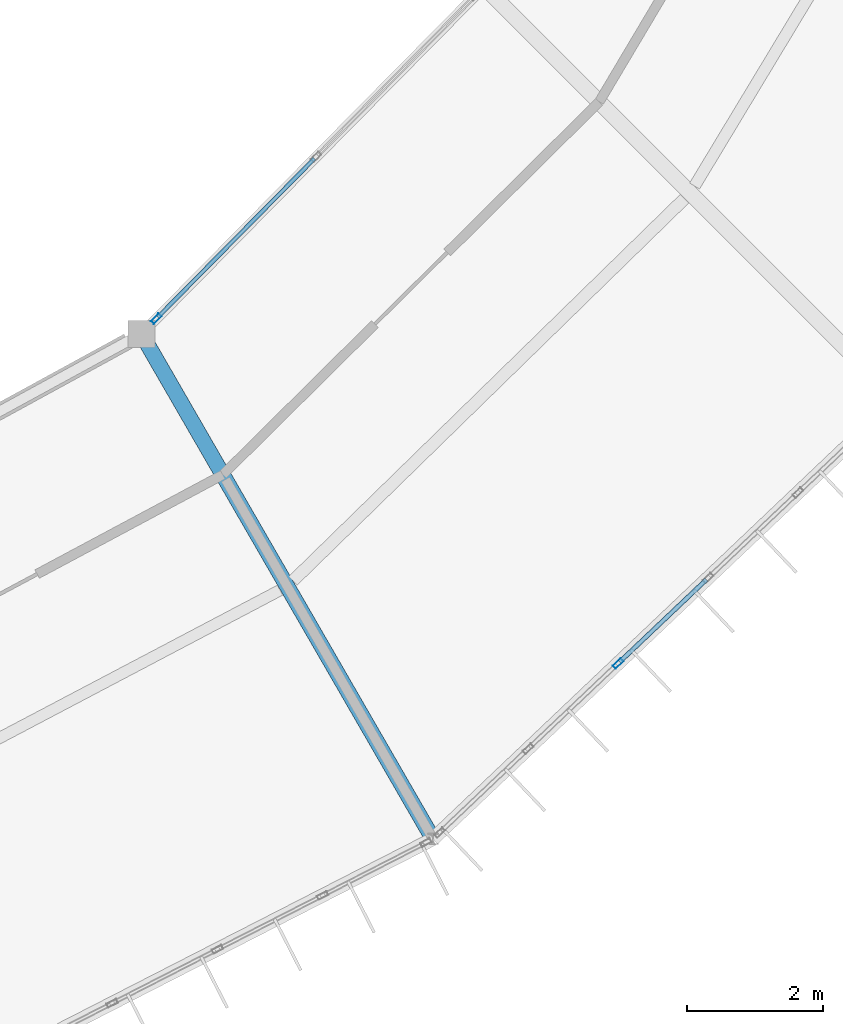
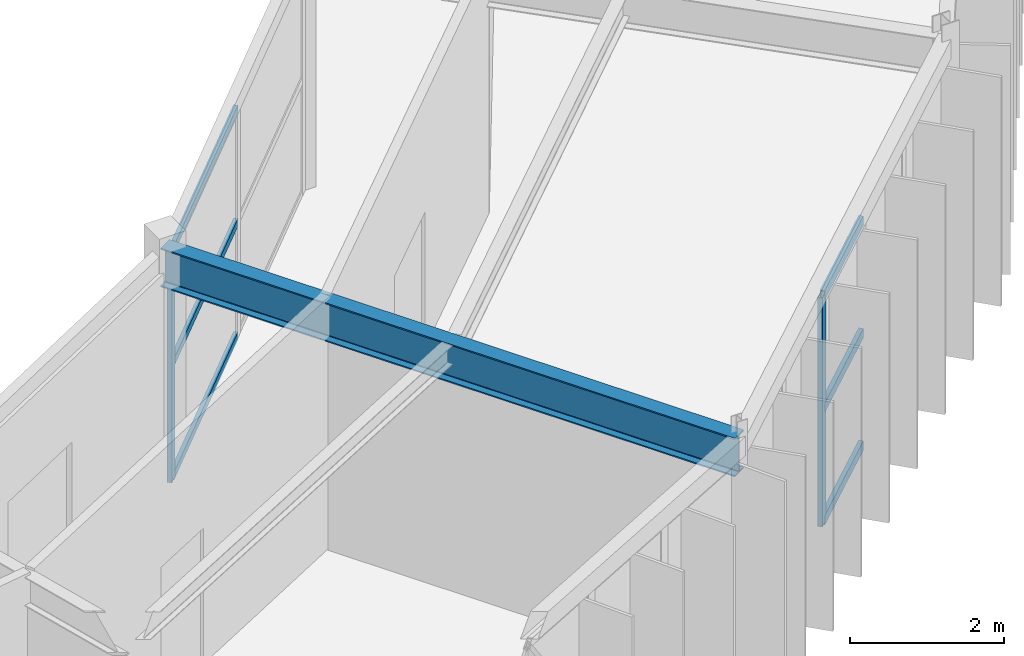
# One storey, part 58 of 157: 8 members, 1 beam, 2 elements without a shape of their own.
"""IFC4 building model written with IfcOpenShell, lengths in metres."""

from ifc_helpers import new_model, si_unit, direction, frame, origin, origin_2d, place, context, subcontext, project, spatial, hollow_rectangle, i_section, extrude, material, material_profile, profile_set, type_object, element, aggregate, save


model = new_model("IFC4")

# Units and contexts
model_context = context("Model", 3, precision=1e-05, world=origin(), true_north=direction((0.0, 1.0)))
body_context = subcontext(model_context, "Body", "Model", "MODEL_VIEW")
ifc_project = project(units=[si_unit("LENGTHUNIT", "METRE"), si_unit("AREAUNIT", "SQUARE_METRE"), si_unit("VOLUMEUNIT", "CUBIC_METRE"), si_unit("PLANEANGLEUNIT", "RADIAN"), si_unit("MASSUNIT", "GRAM", prefix="KILO")], contexts=[model_context])

# Site, building, storey
site_placement = place(None, origin())
site = spatial("IfcSite", under=ifc_project, at=site_placement, CompositionType="ELEMENT")
building_placement = place(site_placement, origin())
building = spatial("IfcBuilding", under=site, at=building_placement, Name="Karori Crest Natural Sciences Institute", CompositionType="ELEMENT")
storey_placement = place(building_placement, frame((0.0, 0.0, 13.300048828125)))
storey = spatial("IfcBuildingStorey", under=building, at=storey_placement, Name="L03", CompositionType="ELEMENT", Elevation=13.300048828125)

# Beam
ifc_material_1 = material(Name="Structural steel AS/NZS 3679.1 Grade 350", Category="steel")
ifc_material_profile_1 = material_profile(ifc_material_1, i_section(OverallWidth=0.22900390625, OverallDepth=0.612060546875, WebThickness=0.011962890625, FlangeThickness=0.01953125, FilletRadius=0.013916015625, at=origin_2d()), Name="610UB125")
ifc_profile_set_1 = profile_set([ifc_material_profile_1], Name="Structural steel AS/NZS 3679.1 Grade 350")
beam_type = type_object("IfcBeamType", Name="BT-04", PredefinedType="BEAM", material=ifc_profile_set_1)
beam_placement = place(storey_placement, frame((78.60009765625, 22.013916015625, 3.634033203125), z_axis=(0.499986217557, -0.866033360935, 0.0), x_axis=(0.866033360935, 0.499986217557, 0.0)))
element("IfcBeam", 1, at=beam_placement, inside=storey, type_object=beam_type, Name="Beam B-0438", PredefinedType="BEAM", context=body_context, shape_type="SweptSolid", body=[
    extrude(i_section(OverallWidth=0.22900390625, OverallDepth=0.612060546875, WebThickness=0.011962890625, FlangeThickness=0.01953125, FilletRadius=0.013916015625, at=origin_2d()), origin(), (0.0, 0.0, 1.0), 8.599853515625),
])

# Curtain wall, member
ifc_material_2 = material(Name="Anodised architectural aluminium 6063-T6", Category="aluminium")
curtain_wall_type_1 = type_object("IfcCurtainWallType", Name="CWT-01", PredefinedType="NOTDEFINED", material=ifc_material_2)
curtain_wall_1_placement = place(storey_placement, origin())
curtain_wall_1 = element("IfcCurtainWall", 2, at=curtain_wall_1_placement, inside=storey, type_object=curtain_wall_type_1, Name="Curtain wall CW-0130", PredefinedType="NOTDEFINED")
ifc_material_profile_2 = material_profile(ifc_material_2, hollow_rectangle(XDim=0.06494140625, YDim=0.159912109375, WallThickness=0.00390625, at=origin_2d()), Name="CWM160x65x4")
ifc_profile_set_2 = profile_set([ifc_material_profile_2], Name="Anodised architectural aluminium 6063-T6")
member_type_1 = type_object("IfcMemberType", Name="CWM-01", PredefinedType="MULLION", material=ifc_profile_set_2)
member_1_placement = place(storey_placement, frame((85.62841796875, 17.15478515625, 0.0), z_axis=(0.0, 0.0, 1.0), x_axis=(0.688250542104, -0.725473081026, 0.0)))
member_1 = element("IfcMember", 3, at=member_1_placement, type_object=member_type_1, Name="CW-0130 mullion 4", PredefinedType="MULLION", context=body_context, shape_type="SweptSolid", body=[
    extrude(hollow_rectangle(XDim=0.06494140625, YDim=0.159912109375, WallThickness=0.00390625, at=origin_2d()), origin(), (0.0, 0.0, 1.0), 3.625),
])

# Curtain wall, members
curtain_wall_type_2 = type_object("IfcCurtainWallType", Name="CWT-11", PredefinedType="NOTDEFINED", material=ifc_material_2)
curtain_wall_2_placement = place(storey_placement, origin())
curtain_wall_2 = element("IfcCurtainWall", 4, at=curtain_wall_2_placement, inside=storey, type_object=curtain_wall_type_2, Name="Curtain wall CW-0131", PredefinedType="NOTDEFINED")
member_2_placement = place(storey_placement, frame((78.81884765625, 22.23583984375, 0.0), z_axis=(0.0, 0.0, 1.0), x_axis=(-0.711524963942, 0.702660818381, 0.0)))
member_2 = element("IfcMember", 5, at=member_2_placement, type_object=member_type_1, Name="CW-0131 mullion 1", PredefinedType="MULLION", context=body_context, shape_type="SweptSolid", body=[
    extrude(hollow_rectangle(XDim=0.06494140625, YDim=0.159912109375, WallThickness=0.00390625, at=origin_2d()), origin(), (0.0, 0.0, 1.0), 3.64990234375),
])
ifc_material_profile_3 = material_profile(ifc_material_2, hollow_rectangle(XDim=0.06005859375, YDim=0.1201171875, WallThickness=0.00390625, at=origin_2d()), Name="CWT120x60x4")
ifc_profile_set_3 = profile_set([ifc_material_profile_3], Name="Anodised architectural aluminium 6063-T6")
member_type_2 = type_object("IfcMemberType", Name="CWT-TR1", PredefinedType="USERDEFINED", material=ifc_profile_set_3)
member_3_placement = place(storey_placement, frame((78.841796875, 22.2587890625, 0.030029296875), z_axis=(0.702636271003, 0.711549204673, 0.0), x_axis=(-0.711549204673, 0.702636271003, 0.0)))
member_3 = element("IfcMember", 6, at=member_3_placement, type_object=member_type_2, Name="CW-0131 transom 1.1", ObjectType="TRANSOM", PredefinedType="USERDEFINED", context=body_context, shape_type="SweptSolid", body=[
    extrude(hollow_rectangle(XDim=0.06005859375, YDim=0.1201171875, WallThickness=0.00390625, at=origin_2d()), origin(), (0.0, 0.0, 1.0), 3.287109375),
])
member_4_placement = place(storey_placement, frame((78.841796875, 22.2587890625, 1.824951171875), z_axis=(0.702636271003, 0.711549204673, 0.0), x_axis=(-0.711549204673, 0.702636271003, 0.0)))
member_4 = element("IfcMember", 7, at=member_4_placement, type_object=member_type_2, Name="CW-0131 transom 1.2", ObjectType="TRANSOM", PredefinedType="USERDEFINED", context=body_context, shape_type="SweptSolid", body=[
    extrude(hollow_rectangle(XDim=0.06005859375, YDim=0.1201171875, WallThickness=0.00390625, at=origin_2d()), origin(), (0.0, 0.0, 1.0), 3.287109375),
])
member_5_placement = place(storey_placement, frame((78.841796875, 22.2587890625, 3.619873046875), z_axis=(0.702636271003, 0.711549204673, 0.0), x_axis=(-0.711549204673, 0.702636271003, 0.0)))
member_5 = element("IfcMember", 8, at=member_5_placement, type_object=member_type_2, Name="CW-0131 transom 1.3", ObjectType="TRANSOM", PredefinedType="USERDEFINED", context=body_context, shape_type="SweptSolid", body=[
    extrude(hollow_rectangle(XDim=0.06005859375, YDim=0.1201171875, WallThickness=0.00390625, at=origin_2d()), origin(), (0.0, 0.0, 1.0), 3.287109375),
])
aggregate(curtain_wall_2, [member_2, member_3, member_4, member_5])

# Member
ifc_material_profile_4 = material_profile(ifc_material_2, hollow_rectangle(XDim=0.06494140625, YDim=0.14990234375, WallThickness=0.00390625, at=origin_2d()), Name="CWT150x65x4")
ifc_profile_set_4 = profile_set([ifc_material_profile_4], Name="Anodised architectural aluminium 6063-T6")
member_type_3 = type_object("IfcMemberType", Name="CWT-TR2", PredefinedType="USERDEFINED", material=ifc_profile_set_4)
member_6_placement = place(storey_placement, frame((86.931396484375, 18.390869140625, 0.032470703125), z_axis=(-0.725414069786, -0.688312739499, 0.0), x_axis=(0.688312739499, -0.725414069786, 0.0)))
member_6 = element("IfcMember", 9, at=member_6_placement, type_object=member_type_3, Name="CW-0130 transom 3.1", ObjectType="TRANSOM", PredefinedType="USERDEFINED", context=body_context, shape_type="SweptSolid", body=[
    extrude(hollow_rectangle(XDim=0.06494140625, YDim=0.14990234375, WallThickness=0.00390625, at=origin_2d()), origin(), (0.0, 0.0, 1.0), 1.763427734375),
])

member_7_placement = place(storey_placement, frame((86.931396484375, 18.390869140625, 1.8125), z_axis=(-0.725414069786, -0.688312739499, 0.0), x_axis=(0.688312739499, -0.725414069786, 0.0)))
member_7 = element("IfcMember", 10, at=member_7_placement, type_object=member_type_3, Name="CW-0130 transom 3.2", ObjectType="TRANSOM", PredefinedType="USERDEFINED", context=body_context, shape_type="SweptSolid", body=[
    extrude(hollow_rectangle(XDim=0.06494140625, YDim=0.14990234375, WallThickness=0.00390625, at=origin_2d()), origin(), (0.0, 0.0, 1.0), 1.763427734375),
])

member_8_placement = place(storey_placement, frame((86.931396484375, 18.390869140625, 3.592529296875), z_axis=(-0.725414069786, -0.688312739499, 0.0), x_axis=(0.688312739499, -0.725414069786, 0.0)))
member_8 = element("IfcMember", 11, at=member_8_placement, type_object=member_type_3, Name="CW-0130 transom 3.3", ObjectType="TRANSOM", PredefinedType="USERDEFINED", context=body_context, shape_type="SweptSolid", body=[
    extrude(hollow_rectangle(XDim=0.06494140625, YDim=0.14990234375, WallThickness=0.00390625, at=origin_2d()), origin(), (0.0, 0.0, 1.0), 1.763427734375),
])

aggregate(curtain_wall_1, [member_1, member_6, member_7, member_8])

save(model, "model.ifc")
